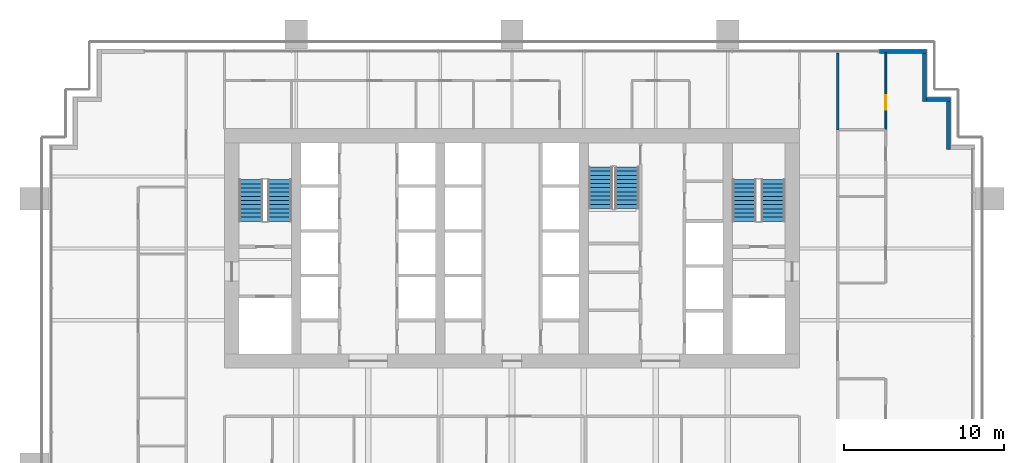
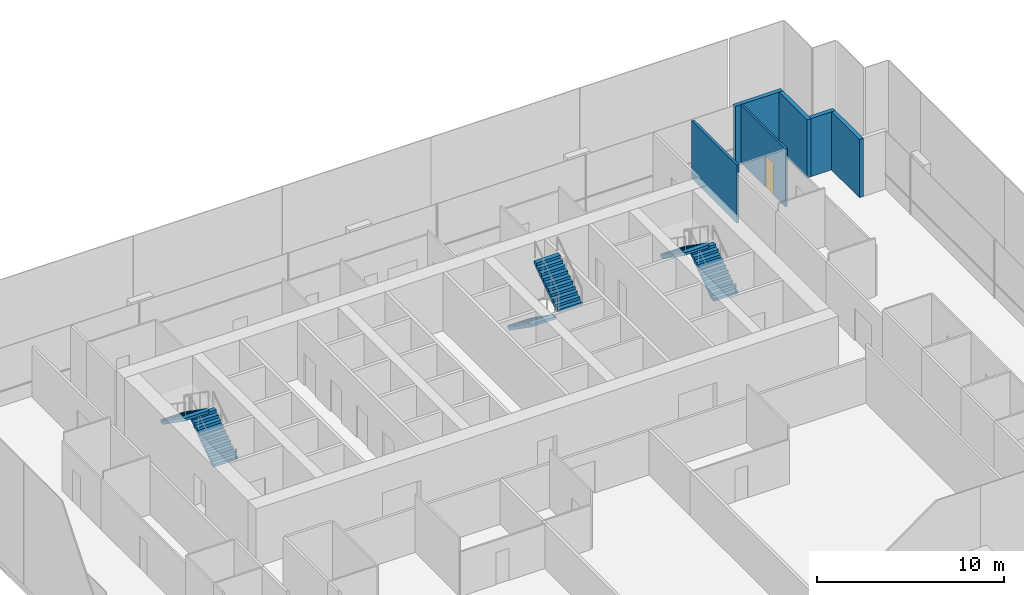
# One storey, part 14 of 17: 6 stair flights, 6 walls, 1 door, 1 opening, 3 elements without a shape of their own.
"""IFC4 building model written with IfcOpenShell, lengths in metres."""

from ifc_helpers import new_model, si_unit, direction, frame, frame_2d, origin, place, context, subcontext, project, spatial, polyline, rectangle, outline, extrude, material, layer, layer_set, type_object, element, fill, aggregate, save


model = new_model("IFC4")

# Units and contexts
model_context = context("Model", 3, precision=1e-05, world=origin(), true_north=direction((0.0, 1.0)))
body_context = subcontext(model_context, "Body", "Model", "MODEL_VIEW")
ifc_project = project(units=[si_unit("LENGTHUNIT", "METRE"), si_unit("AREAUNIT", "SQUARE_METRE"), si_unit("VOLUMEUNIT", "CUBIC_METRE"), si_unit("PLANEANGLEUNIT", "RADIAN"), si_unit("MASSUNIT", "GRAM", prefix="KILO")], contexts=[model_context])

# Site, building, storey
site_placement = place(None, origin())
site = spatial("IfcSite", under=ifc_project, at=site_placement, CompositionType="ELEMENT")
building_placement = place(site_placement, origin())
building = spatial("IfcBuilding", under=site, at=building_placement, Name="Rattan Terrace Tower", CompositionType="ELEMENT")
storey_placement = place(building_placement, frame((0.0, 0.0, 138.10009765625)))
storey = spatial("IfcBuildingStorey", under=building, at=storey_placement, Name="L31", CompositionType="ELEMENT", Elevation=138.10009765625)

# Walls
ifc_material_1 = material(Name="Insulated aluminium-clad stud wall", Category="aluminium")
ifc_layer_1 = layer(ifc_material_1, 0.25)
ifc_layer_set_1 = layer_set([ifc_layer_1], Name="Facade Riser Wall 250")
wall_type_1 = type_object("IfcWallType", Name="Facade Riser Wall 250", PredefinedType="SOLIDWALL", material=ifc_layer_set_1)
wall_1_placement = place(storey_placement, frame((27.330078125, 6.205078125, 0.0), z_axis=(0.0, 0.0, 1.0), x_axis=(0.0, 1.0, 0.0)))
element("IfcWall", 1, at=wall_1_placement, inside=storey, type_object=wall_type_1, Name="Riser wall L31-7", PredefinedType="SOLIDWALL", context=body_context, shape_type="SweptSolid", body=[
    extrude(rectangle(XDim=3.0, YDim=0.25, at=frame_2d((1.5, 0.0))), origin(), (0.0, 0.0, 1.0), 3.7998046875),
])
wall_2_placement = place(storey_placement, frame((27.455078125, 9.330078125, 0.0), z_axis=(0.0, 0.0, 1.0), x_axis=(-1.0, 0.0, 0.0)))
element("IfcWall", 2, at=wall_2_placement, inside=storey, type_object=wall_type_1, Name="Riser wall L31-8", PredefinedType="SOLIDWALL", context=body_context, shape_type="SweptSolid", body=[
    extrude(rectangle(XDim=1.5, YDim=0.25, at=frame_2d((0.75, 0.0))), origin(), (0.0, 0.0, 1.0), 3.7998046875),
])
wall_3_placement = place(storey_placement, frame((25.830078125, 9.205078125, 0.0), z_axis=(0.0, 0.0, 1.0), x_axis=(0.0, 1.0, 0.0)))
element("IfcWall", 3, at=wall_3_placement, inside=storey, type_object=wall_type_1, Name="Riser wall L31-9", PredefinedType="SOLIDWALL", context=body_context, shape_type="SweptSolid", body=[
    extrude(rectangle(XDim=3.0, YDim=0.25, at=frame_2d((1.5, 0.0))), origin(), (0.0, 0.0, 1.0), 3.7998046875),
])
wall_4_placement = place(storey_placement, frame((25.955078125, 12.330078125, 0.0), z_axis=(0.0, 0.0, 1.0), x_axis=(-1.0, 0.0, 0.0)))
element("IfcWall", 4, at=wall_4_placement, inside=storey, type_object=wall_type_1, Name="Riser wall L31-10", PredefinedType="SOLIDWALL", context=body_context, shape_type="SweptSolid", body=[
    extrude(rectangle(XDim=2.955078125, YDim=0.25, at=frame_2d((1.4775390625, 0.0))), origin(), (0.0, 0.0, 1.0), 3.7998046875),
])
ifc_material_2 = material(Name="Gypsum board partition on steel studs, fire rated", Category="steel")
ifc_layer_2 = layer(ifc_material_2, 0.14990234375)
ifc_layer_set_2 = layer_set([ifc_layer_2], Name="Floors Tenancy Wall 150")
wall_type_2 = type_object("IfcWallType", Name="Floors Tenancy Wall 150", PredefinedType="PARTITIONING", material=ifc_layer_set_2)
wall_5_placement = place(storey_placement, frame((20.39990234375, 12.239990234375, 0.0), z_axis=(0.0, 0.0, 1.0), x_axis=(0.0, -1.0, 0.0)))
element("IfcWall", 5, at=wall_5_placement, inside=storey, type_object=wall_type_2, Name="pt-L31-017", PredefinedType="PARTITIONING", context=body_context, shape_type="SweptSolid", body=[
    extrude(rectangle(XDim=4.820068359375, YDim=0.14990234375, at=frame_2d((2.41015625, 0.0))), origin(), (0.0, 0.0, 1.0), 3.7998046875),
])

# Wall, opening, door
ifc_material_3 = material(Name="Moisture resistant gypsum board partition on steel studs with service cavity", Category="steel")
ifc_layer_3 = layer(ifc_material_3, 0.1201171875)
ifc_layer_set_3 = layer_set([ifc_layer_3], Name="Floors Wet Wall 120")
wall_type_3 = type_object("IfcWallType", Name="Floors Wet Wall 120", PredefinedType="PARTITIONING", material=ifc_layer_set_3)
wall_6_placement = place(storey_placement, frame((23.39990234375, 7.419921875, 0.0), z_axis=(0.0, 0.0, 1.0), x_axis=(0.0, 1.0, 0.0)))
wall_6 = element("IfcWall", 6, at=wall_6_placement, inside=storey, type_object=wall_type_3, Name="pt-L31-054", PredefinedType="PARTITIONING", context=body_context, shape_type="SweptSolid", body=[
    extrude(rectangle(XDim=4.820068359375, YDim=0.1201171875, at=frame_2d((2.41015625, 0.0))), origin(), (0.0, 0.0, 1.0), 3.7998046875),
])
opening_placement = place(wall_6_placement, frame((1.27587890625, 0.0, 0.0)))
opening = element("IfcOpeningElement", 7, at=opening_placement, cuts=wall_6, Name="Opening L31-D116", PredefinedType="OPENING", context=body_context, shape_type="SweptSolid", body=[
    extrude(rectangle(XDim=0.89990234375, YDim=2.10009765625, at=frame_2d((0.449951171875, 1.050048828125))), frame((0.0, 0.070556640625, 0.0), z_axis=(0.0, -1.0, 0.0), x_axis=(1.0, 0.0, 0.0)), (0.0, 0.0, 1.0), 0.14111328125),
])
ifc_material_4 = material(Name="Solid core timber door, painted", Category="wood")
door_type = type_object("IfcDoorType", Name="Floors Door 900x2100", OperationType="NOTDEFINED", PredefinedType="DOOR", material=ifc_material_4)
door_placement = place(opening_placement, origin())
door = element("IfcDoor", 8, at=door_placement, inside=storey, type_object=door_type, Name="d-L31-116", OperationType="SINGLE_SWING_LEFT", OverallHeight=2.10009765625, OverallWidth=0.89990234375, PredefinedType="DOOR", context=body_context, shape_type="SweptSolid", body=[
    extrude(rectangle(XDim=0.89990234375, YDim=2.10009765625, at=frame_2d((0.449951171875, 1.050048828125))), frame((0.0, 0.02490234375, 0.0), z_axis=(0.0, -1.0, 0.0), x_axis=(1.0, 0.0, 0.0)), (0.0, 0.0, 1.0), 0.050048828125),
])
fill(opening, door)

# Stair, stair flights
ifc_material_5 = material(Name="Concrete C40/50", Category="concrete")
stair_type = type_object("IfcStairType", Name="Core exit stair 1500", PredefinedType="HALF_TURN_STAIR", material=ifc_material_5)
stair_1_placement = place(storey_placement, origin())
stair_1 = element("IfcStair", 9, at=stair_1_placement, inside=storey, type_object=stair_type, Name="L31 exit stair 1", PredefinedType="HALF_TURN_STAIR")
ifc_material_6 = material(Name="Concrete C40/50", Category="concrete")
stair_flight_type = type_object("IfcStairFlightType", Name="Core exit stair flight 1500", PredefinedType="STRAIGHT", material=ifc_material_6)
stair_flight_1_placement = place(storey_placement, frame((-14.550048828125, 1.699951171875, 0.0), z_axis=(0.0, 0.0, 1.0), x_axis=(0.0, 1.0, 0.0)))
stair_flight_1 = element("IfcStairFlight", 10, at=stair_flight_1_placement, type_object=stair_flight_type, Name="S1 flight 1", NumberOfRisers=11, NumberOfTreads=10, PredefinedType="STRAIGHT", RiserHeight=0.181818182, TreadLength=0.26, context=body_context, shape_type="SweptSolid", body=[
    extrude(outline(polyline([(0.0, 0.0), (0.0, 0.181884765625), (0.260009765625, 0.181884765625), (0.260009765625, 0.363525390625), (0.52001953125, 0.363525390625), (0.52001953125, 0.54541015625), (0.780029296875, 0.54541015625), (0.780029296875, 0.727294921875), (1.0400390625, 0.727294921875), (1.0400390625, 0.9091796875), (1.300048828125, 0.9091796875), (1.300048828125, 1.0908203125), (1.56005859375, 1.0908203125), (1.56005859375, 1.272705078125), (1.820068359375, 1.272705078125), (1.820068359375, 1.45458984375), (2.080078125, 1.45458984375), (2.080078125, 1.636474609375), (2.340087890625, 1.636474609375), (2.340087890625, 1.818115234375), (2.60009765625, 1.818115234375), (2.60009765625, 2.0), (2.60009765625, 1.63525390625), (0.261474609375, 0.0), (0.0, 0.0)])), frame((0.0, 0.75, 0.0), z_axis=(0.0, -1.0, 0.0), x_axis=(1.0, 0.0, 0.0)), (0.0, 0.0, 1.0), 1.5),
])
stair_flight_2_placement = place(storey_placement, frame((-16.35009765625, 4.300048828125, 2.0), z_axis=(0.0, 0.0, 1.0), x_axis=(0.0, -1.0, 0.0)))
stair_flight_2 = element("IfcStairFlight", 11, at=stair_flight_2_placement, type_object=stair_flight_type, Name="S1 flight 2", NumberOfRisers=11, NumberOfTreads=10, PredefinedType="STRAIGHT", RiserHeight=0.181818182, TreadLength=0.26, context=body_context, shape_type="SweptSolid", body=[
    extrude(outline(polyline([(0.0, 0.0), (0.0, 0.181884765625), (0.260009765625, 0.181884765625), (0.260009765625, 0.363525390625), (0.52001953125, 0.363525390625), (0.52001953125, 0.54541015625), (0.780029296875, 0.54541015625), (0.780029296875, 0.727294921875), (1.0400390625, 0.727294921875), (1.0400390625, 0.9091796875), (1.300048828125, 0.9091796875), (1.300048828125, 1.0908203125), (1.56005859375, 1.0908203125), (1.56005859375, 1.272705078125), (1.820068359375, 1.272705078125), (1.820068359375, 1.45458984375), (2.080078125, 1.45458984375), (2.080078125, 1.636474609375), (2.340087890625, 1.636474609375), (2.340087890625, 1.818115234375), (2.60009765625, 1.818115234375), (2.60009765625, 2.0), (2.60009765625, 1.63525390625), (0.261474609375, 0.0), (0.0, 0.0)])), frame((0.0, 0.75, 0.0), z_axis=(0.0, -1.0, 0.0), x_axis=(1.0, 0.0, 0.0)), (0.0, 0.0, 1.0), 1.5),
])
aggregate(stair_1, [stair_flight_1, stair_flight_2])

stair_2_placement = place(storey_placement, origin())
stair_2 = element("IfcStair", 12, at=stair_2_placement, inside=storey, type_object=stair_type, Name="L31 exit stair 2", PredefinedType="HALF_TURN_STAIR")
stair_flight_3_placement = place(storey_placement, frame((16.35009765625, 1.699951171875, 0.0), z_axis=(0.0, 0.0, 1.0), x_axis=(0.0, 1.0, 0.0)))
stair_flight_3 = element("IfcStairFlight", 13, at=stair_flight_3_placement, type_object=stair_flight_type, Name="S2 flight 1", NumberOfRisers=11, NumberOfTreads=10, PredefinedType="STRAIGHT", RiserHeight=0.181818182, TreadLength=0.26, context=body_context, shape_type="SweptSolid", body=[
    extrude(outline(polyline([(0.0, 0.0), (0.0, 0.181884765625), (0.260009765625, 0.181884765625), (0.260009765625, 0.363525390625), (0.52001953125, 0.363525390625), (0.52001953125, 0.54541015625), (0.780029296875, 0.54541015625), (0.780029296875, 0.727294921875), (1.0400390625, 0.727294921875), (1.0400390625, 0.9091796875), (1.300048828125, 0.9091796875), (1.300048828125, 1.0908203125), (1.56005859375, 1.0908203125), (1.56005859375, 1.272705078125), (1.820068359375, 1.272705078125), (1.820068359375, 1.45458984375), (2.080078125, 1.45458984375), (2.080078125, 1.636474609375), (2.340087890625, 1.636474609375), (2.340087890625, 1.818115234375), (2.60009765625, 1.818115234375), (2.60009765625, 2.0), (2.60009765625, 1.63525390625), (0.261474609375, 0.0), (0.0, 0.0)])), frame((0.0, 0.75, 0.0), z_axis=(0.0, -1.0, 0.0), x_axis=(1.0, 0.0, 0.0)), (0.0, 0.0, 1.0), 1.5),
])
stair_flight_4_placement = place(storey_placement, frame((14.550048828125, 4.300048828125, 2.0), z_axis=(0.0, 0.0, 1.0), x_axis=(0.0, -1.0, 0.0)))
stair_flight_4 = element("IfcStairFlight", 14, at=stair_flight_4_placement, type_object=stair_flight_type, Name="S2 flight 2", NumberOfRisers=11, NumberOfTreads=10, PredefinedType="STRAIGHT", RiserHeight=0.181818182, TreadLength=0.26, context=body_context, shape_type="SweptSolid", body=[
    extrude(outline(polyline([(0.0, 0.0), (0.0, 0.181884765625), (0.260009765625, 0.181884765625), (0.260009765625, 0.363525390625), (0.52001953125, 0.363525390625), (0.52001953125, 0.54541015625), (0.780029296875, 0.54541015625), (0.780029296875, 0.727294921875), (1.0400390625, 0.727294921875), (1.0400390625, 0.9091796875), (1.300048828125, 0.9091796875), (1.300048828125, 1.0908203125), (1.56005859375, 1.0908203125), (1.56005859375, 1.272705078125), (1.820068359375, 1.272705078125), (1.820068359375, 1.45458984375), (2.080078125, 1.45458984375), (2.080078125, 1.636474609375), (2.340087890625, 1.636474609375), (2.340087890625, 1.818115234375), (2.60009765625, 1.818115234375), (2.60009765625, 2.0), (2.60009765625, 1.63525390625), (0.261474609375, 0.0), (0.0, 0.0)])), frame((0.0, 0.75, 0.0), z_axis=(0.0, -1.0, 0.0), x_axis=(1.0, 0.0, 0.0)), (0.0, 0.0, 1.0), 1.5),
])
aggregate(stair_2, [stair_flight_3, stair_flight_4])

stair_3_placement = place(storey_placement, origin())
stair_3 = element("IfcStair", 15, at=stair_3_placement, inside=storey, type_object=stair_type, Name="L31 exit stair 3", PredefinedType="HALF_TURN_STAIR")
stair_flight_5_placement = place(storey_placement, frame((5.550048828125, 5.10009765625, 0.0), z_axis=(0.0, 0.0, 1.0), x_axis=(0.0, -1.0, 0.0)))
stair_flight_5 = element("IfcStairFlight", 16, at=stair_flight_5_placement, type_object=stair_flight_type, Name="S3 flight 1", NumberOfRisers=11, NumberOfTreads=10, PredefinedType="STRAIGHT", RiserHeight=0.181818182, TreadLength=0.26, context=body_context, shape_type="SweptSolid", body=[
    extrude(outline(polyline([(0.0, 0.0), (0.0, 0.181884765625), (0.260009765625, 0.181884765625), (0.260009765625, 0.363525390625), (0.52001953125, 0.363525390625), (0.52001953125, 0.54541015625), (0.780029296875, 0.54541015625), (0.780029296875, 0.727294921875), (1.0400390625, 0.727294921875), (1.0400390625, 0.9091796875), (1.300048828125, 0.9091796875), (1.300048828125, 1.0908203125), (1.56005859375, 1.0908203125), (1.56005859375, 1.272705078125), (1.820068359375, 1.272705078125), (1.820068359375, 1.45458984375), (2.080078125, 1.45458984375), (2.080078125, 1.636474609375), (2.340087890625, 1.636474609375), (2.340087890625, 1.818115234375), (2.60009765625, 1.818115234375), (2.60009765625, 2.0), (2.60009765625, 1.63525390625), (0.261474609375, 0.0), (0.0, 0.0)])), frame((0.0, 0.75, 0.0), z_axis=(0.0, -1.0, 0.0), x_axis=(1.0, 0.0, 0.0)), (0.0, 0.0, 1.0), 1.5),
])
stair_flight_6_placement = place(storey_placement, frame((7.199951171875, 2.5, 2.0), z_axis=(0.0, 0.0, 1.0), x_axis=(0.0, 1.0, 0.0)))
stair_flight_6 = element("IfcStairFlight", 17, at=stair_flight_6_placement, type_object=stair_flight_type, Name="S3 flight 2", NumberOfRisers=11, NumberOfTreads=10, PredefinedType="STRAIGHT", RiserHeight=0.181818182, TreadLength=0.26, context=body_context, shape_type="SweptSolid", body=[
    extrude(outline(polyline([(0.0, 0.0), (0.0, 0.181884765625), (0.260009765625, 0.181884765625), (0.260009765625, 0.363525390625), (0.52001953125, 0.363525390625), (0.52001953125, 0.54541015625), (0.780029296875, 0.54541015625), (0.780029296875, 0.727294921875), (1.0400390625, 0.727294921875), (1.0400390625, 0.9091796875), (1.300048828125, 0.9091796875), (1.300048828125, 1.0908203125), (1.56005859375, 1.0908203125), (1.56005859375, 1.272705078125), (1.820068359375, 1.272705078125), (1.820068359375, 1.45458984375), (2.080078125, 1.45458984375), (2.080078125, 1.636474609375), (2.340087890625, 1.636474609375), (2.340087890625, 1.818115234375), (2.60009765625, 1.818115234375), (2.60009765625, 2.0), (2.60009765625, 1.63525390625), (0.261474609375, 0.0), (0.0, 0.0)])), frame((0.0, 0.75, 0.0), z_axis=(0.0, -1.0, 0.0), x_axis=(1.0, 0.0, 0.0)), (0.0, 0.0, 1.0), 1.5),
])
aggregate(stair_3, [stair_flight_5, stair_flight_6])

save(model, "model.ifc")
